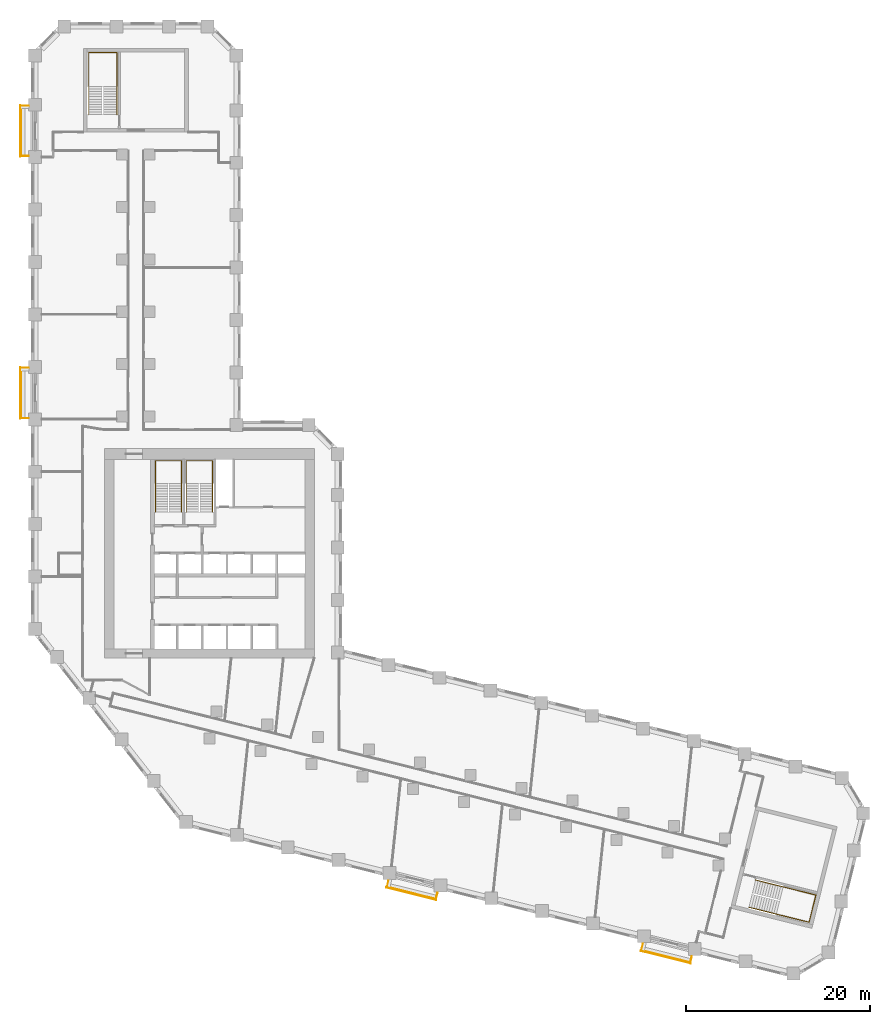
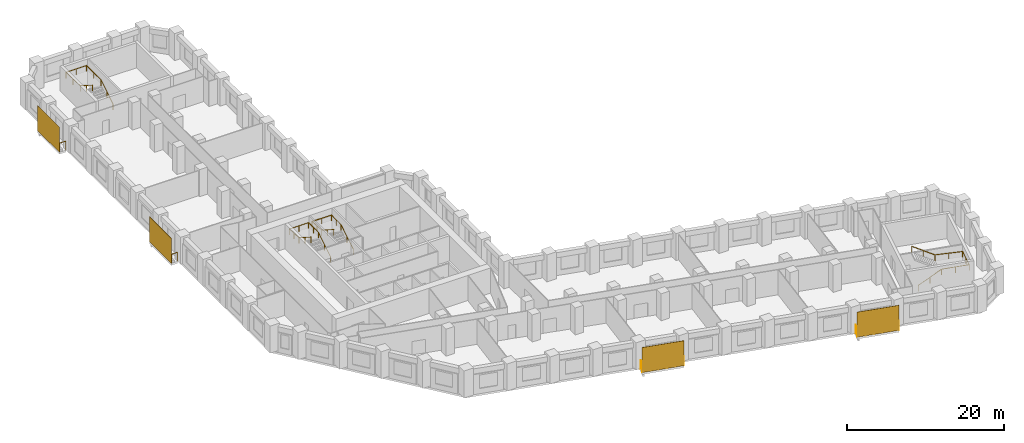
# One storey, part 11 of 11: 8 railings, 4 shading devices.
"""IFC4 building model written with IfcOpenShell, lengths in metres."""

from ifc_helpers import new_model, si_unit, direction, frame, origin, origin_2d, place, context, subcontext, project, spatial, rectangle, circle, extrude, material, layer, layer_set, type_object, element, save


model = new_model("IFC4")

# Units and contexts
model_context = context("Model", 3, precision=1e-05, world=origin(), true_north=direction((0.0, 1.0)))
body_context = subcontext(model_context, "Body", "Model", "MODEL_VIEW")
ifc_project = project(units=[si_unit("LENGTHUNIT", "METRE"), si_unit("AREAUNIT", "SQUARE_METRE"), si_unit("VOLUMEUNIT", "CUBIC_METRE"), si_unit("PLANEANGLEUNIT", "RADIAN"), si_unit("MASSUNIT", "GRAM", prefix="KILO")], contexts=[model_context])

# Site, building, storey
site_placement = place(None, origin())
site = spatial("IfcSite", under=ifc_project, at=site_placement, CompositionType="ELEMENT")
building_placement = place(site_placement, origin())
building = spatial("IfcBuilding", under=site, at=building_placement, Name="Meshkara Civic Tower", CompositionType="ELEMENT")
storey_placement = place(building_placement, frame((0.0, 0.0, 54.0)))
storey = spatial("IfcBuildingStorey", under=building, at=storey_placement, Name="L11", CompositionType="ELEMENT", Elevation=54.0)

# Railings
ifc_material_1 = material(Name="Steel S355", Category="steel")
railing_type_1 = type_object("IfcRailingType", Name="BALUSTRADE GUARD 1400", PredefinedType="BALUSTRADE", material=ifc_material_1)
for number, where, name in (
    (1, (-0.25, 74.135009765625, 0.0), "Balcony guard"),
    (2, (-0.25, 45.635009765625, 0.0), "Balcony guard"),
):
    element("IfcRailing", number, at=place(storey_placement, frame(where)), inside=storey, type_object=railing_type_1, Name=name, PredefinedType="BALUSTRADE", context=body_context, shape_type="SweptSolid", body=[
        extrude(circle(Radius=0.02392578125, at=origin_2d()), frame((0.0, 0.0, 1.3759765625), z_axis=(-1.0, 0.0, 0.0), x_axis=(0.0, -1.0, 0.0)), (0.0, 0.0, 1.0), 0.860107421875),
        extrude(circle(Radius=0.02392578125, at=origin_2d()), frame((-0.860107421875, 0.0, 1.3759765625), z_axis=(0.0, -1.0, 0.0), x_axis=(1.0, 0.0, 0.0)), (0.0, 0.0, 1.0), 5.4599609375),
        extrude(circle(Radius=0.02392578125, at=origin_2d()), frame((-0.860107421875, -5.4599609375, 1.3759765625), z_axis=(1.0, 0.0, 0.0), x_axis=(0.0, 1.0, 0.0)), (0.0, 0.0, 1.0), 0.860107421875),
        extrude(circle(Radius=0.02099609375, at=origin_2d()), origin(), (0.0, 0.0, 1.0), 1.351806640625),
        extrude(circle(Radius=0.02099609375, at=origin_2d()), frame((-0.860107421875, 0.0, 0.0)), (0.0, 0.0, 1.0), 1.351806640625),
        extrude(circle(Radius=0.02099609375, at=origin_2d()), frame((-0.860107421875, -1.092041015625, 0.0)), (0.0, 0.0, 1.0), 1.351806640625),
        extrude(circle(Radius=0.02099609375, at=origin_2d()), frame((-0.860107421875, -2.18408203125, 0.0)), (0.0, 0.0, 1.0), 1.351806640625),
        extrude(circle(Radius=0.02099609375, at=origin_2d()), frame((-0.860107421875, -3.27587890625, 0.0)), (0.0, 0.0, 1.0), 1.351806640625),
        extrude(circle(Radius=0.02099609375, at=origin_2d()), frame((-0.860107421875, -4.367919921875, 0.0)), (0.0, 0.0, 1.0), 1.351806640625),
        extrude(circle(Radius=0.02099609375, at=origin_2d()), frame((-0.860107421875, -5.4599609375, 0.0)), (0.0, 0.0, 1.0), 1.351806640625),
        extrude(circle(Radius=0.02099609375, at=origin_2d()), frame((0.0, -5.4599609375, 0.0)), (0.0, 0.0, 1.0), 1.351806640625),
    ])
railing_1_placement = place(storey_placement, frame((38.885009765625, -10.10595703125, 0.0)))
element("IfcRailing", 3, at=railing_1_placement, inside=storey, type_object=railing_type_1, Name="Balcony guard", PredefinedType="BALUSTRADE", context=body_context, shape_type="SweptSolid", body=[
    extrude(circle(Radius=0.02392578125, at=origin_2d()), frame((0.0, 0.0, 1.3759765625), z_axis=(-0.242050887106, -0.970263555974, 0.0), x_axis=(0.970263555974, -0.242050887106, 0.0)), (0.0, 0.0, 1.0), 0.711181640625),
    extrude(circle(Radius=0.02392578125, at=origin_2d()), frame((-0.172119140625, -0.68994140625, 1.3759765625), z_axis=(0.970292231073, -0.24193591366, 0.0), x_axis=(0.24193591366, 0.970292231073, 0.0)), (0.0, 0.0, 1.0), 5.460205078125),
    extrude(circle(Radius=0.02392578125, at=origin_2d()), frame((5.1259765625, -2.010986328125, 1.3759765625), z_axis=(0.242050887106, 0.970263555974, 0.0), x_axis=(-0.970263555974, 0.242050887106, 0.0)), (0.0, 0.0, 1.0), 0.711181640625),
    extrude(circle(Radius=0.02099609375, at=origin_2d()), origin(), (0.0, 0.0, 1.0), 1.351806640625),
    extrude(circle(Radius=0.02099609375, at=origin_2d()), frame((-0.172119140625, -0.68994140625, 0.0)), (0.0, 0.0, 1.0), 1.351806640625),
    extrude(circle(Radius=0.02099609375, at=origin_2d()), frame((0.887451171875, -0.9541015625, 0.0)), (0.0, 0.0, 1.0), 1.351806640625),
    extrude(circle(Radius=0.02099609375, at=origin_2d()), frame((1.947021484375, -1.21826171875, 0.0)), (0.0, 0.0, 1.0), 1.351806640625),
    extrude(circle(Radius=0.02099609375, at=origin_2d()), frame((3.0068359375, -1.482666015625, 0.0)), (0.0, 0.0, 1.0), 1.351806640625),
    extrude(circle(Radius=0.02099609375, at=origin_2d()), frame((4.06640625, -1.746826171875, 0.0)), (0.0, 0.0, 1.0), 1.351806640625),
    extrude(circle(Radius=0.02099609375, at=origin_2d()), frame((5.1259765625, -2.010986328125, 0.0)), (0.0, 0.0, 1.0), 1.351806640625),
    extrude(circle(Radius=0.02099609375, at=origin_2d()), frame((5.298095703125, -1.321044921875, 0.0)), (0.0, 0.0, 1.0), 1.351806640625),
])
railing_2_placement = place(storey_placement, frame((66.5380859375, -17.0, 0.0)))
element("IfcRailing", 4, at=railing_2_placement, inside=storey, type_object=railing_type_1, Name="Balcony guard", PredefinedType="BALUSTRADE", context=body_context, shape_type="SweptSolid", body=[
    extrude(circle(Radius=0.02392578125, at=origin_2d()), frame((0.0, 0.0, 1.3759765625), z_axis=(-0.241728770141, -0.970343857447, 0.0), x_axis=(0.970343857447, -0.241728770141, 0.0)), (0.0, 0.0, 1.0), 0.7119140625),
    extrude(circle(Radius=0.02392578125, at=origin_2d()), frame((-0.172119140625, -0.69091796875, 1.3759765625), z_axis=(0.970292231073, -0.24193591366, 0.0), x_axis=(0.24193591366, 0.970292231073, 0.0)), (0.0, 0.0, 1.0), 5.460205078125),
    extrude(circle(Radius=0.02392578125, at=origin_2d()), frame((5.1259765625, -2.011962890625, 1.3759765625), z_axis=(0.241405887632, 0.970424235794, 0.0), x_axis=(-0.970424235794, 0.241405887632, 0.0)), (0.0, 0.0, 1.0), 0.7119140625),
    extrude(circle(Radius=0.02099609375, at=origin_2d()), origin(), (0.0, 0.0, 1.0), 1.351806640625),
    extrude(circle(Radius=0.02099609375, at=origin_2d()), frame((-0.172119140625, -0.69091796875, 0.0)), (0.0, 0.0, 1.0), 1.351806640625),
    extrude(circle(Radius=0.02099609375, at=origin_2d()), frame((0.887451171875, -0.955078125, 0.0)), (0.0, 0.0, 1.0), 1.351806640625),
    extrude(circle(Radius=0.02099609375, at=origin_2d()), frame((1.947021484375, -1.21923828125, 0.0)), (0.0, 0.0, 1.0), 1.351806640625),
    extrude(circle(Radius=0.02099609375, at=origin_2d()), frame((3.0068359375, -1.483642578125, 0.0)), (0.0, 0.0, 1.0), 1.351806640625),
    extrude(circle(Radius=0.02099609375, at=origin_2d()), frame((4.06640625, -1.747802734375, 0.0)), (0.0, 0.0, 1.0), 1.351806640625),
    extrude(circle(Radius=0.02099609375, at=origin_2d()), frame((5.1259765625, -2.011962890625, 0.0)), (0.0, 0.0, 1.0), 1.351806640625),
    extrude(circle(Radius=0.02099609375, at=origin_2d()), frame((5.2978515625, -1.321044921875, 0.0)), (0.0, 0.0, 1.0), 1.351806640625),
])

# Shading devices
ifc_material_2 = material(Name="Perforated bronze anodised aluminium sheet", Category="aluminium")
ifc_layer = layer(ifc_material_2, 0.0400390625)
ifc_layer_set = layer_set([ifc_layer], Name="PERFORATED BRONZE SCREEN")
shading_device_type = type_object("IfcShadingDeviceType", Name="PERFORATED BRONZE SCREEN", PredefinedType="USERDEFINED", material=ifc_layer_set)
for number, where, z_axis, x_axis, name in (
    (5, (-1.179931640625, 71.405029296875, 0.0), (0.0, 0.0, 1.0), (0.0, -1.0, 0.0), "Balcony screen"),
    (6, (-1.179931640625, 42.905029296875, 0.0), (0.0, 0.0, 1.0), (0.0, -1.0, 0.0), "Balcony screen"),
    (7, (41.344970703125, -11.52490234375, 0.0), (0.0, 0.0, 1.0), (0.970295726276, -0.2419218956, 0.0), "Balcony screen"),
    (8, (68.998046875, -18.4189453125, 0.0), (0.0, 0.0, 1.0), (0.970295726276, -0.2419218956, 0.0), "Balcony screen"),
):
    element("IfcShadingDevice", number, at=place(storey_placement, frame(where, z_axis=z_axis, x_axis=x_axis)), inside=storey, type_object=shading_device_type, Name=name, ObjectType="SCREEN", PredefinedType="USERDEFINED", context=body_context, shape_type="SweptSolid", body=[
        extrude(rectangle(XDim=5.580078125, YDim=0.0400390625, at=origin_2d()), origin(), (0.0, 0.0, 1.0), 3.89990234375),
    ])

# Railings
ifc_material_3 = material(Name="Steel handrail", Category="steel")
railing_type_2 = type_object("IfcRailingType", Name="Stair handrail 900", PredefinedType="HANDRAIL", material=ifc_material_3)
railing_3_placement = place(storey_placement, frame((16.375, 30.0, 0.175048828125)))
element("IfcRailing", 9, at=railing_3_placement, inside=storey, type_object=railing_type_2, Name="L11 ST1 stair handrail 1", PredefinedType="HANDRAIL", context=body_context, shape_type="SweptSolid", body=[
    extrude(circle(Radius=0.02392578125, at=origin_2d()), frame((0.0, 0.0, 0.8759765625), z_axis=(0.0, 0.847998304005, 0.529998940003), x_axis=(-1.0, 0.0, 0.0)), (0.0, 0.0, 1.0), 3.632080078125),
    extrude(circle(Radius=0.02392578125, at=origin_2d()), frame((0.0, 3.080078125, 2.80078125), z_axis=(0.0, 1.0, 0.0), x_axis=(-1.0, 0.0, 0.0)), (0.0, 0.0, 1.0), 2.469970703125),
    extrude(circle(Radius=0.02392578125, at=origin_2d()), frame((0.0, 5.550048828125, 2.80078125), z_axis=(-1.0, 0.0, 0.0), x_axis=(0.0, -1.0, 0.0)), (0.0, 0.0, 1.0), 2.85009765625),
    extrude(circle(Radius=0.02392578125, at=origin_2d()), frame((-2.85009765625, 5.550048828125, 2.80078125), z_axis=(0.0, -0.997505032726, 0.070595394231), x_axis=(1.0, 0.0, 0.0)), (0.0, 0.0, 1.0), 2.47607421875),
    extrude(circle(Radius=0.02392578125, at=origin_2d()), frame((-2.85009765625, 3.080078125, 2.9755859375), z_axis=(0.0, -0.847998304005, 0.529998940003), x_axis=(1.0, 0.0, 0.0)), (0.0, 0.0, 1.0), 3.632080078125),
    extrude(circle(Radius=0.02099609375, at=origin_2d()), origin(), (0.0, 0.0, 1.0), 0.851806640625),
    extrude(circle(Radius=0.02099609375, at=origin_2d()), frame((0.0, 1.5400390625, 0.96240234375)), (0.0, 0.0, 1.0), 0.851806640625),
    extrude(circle(Radius=0.02099609375, at=origin_2d()), frame((0.0, 3.080078125, 1.925048828125)), (0.0, 0.0, 1.0), 0.851806640625),
    extrude(circle(Radius=0.02099609375, at=origin_2d()), frame((0.0, 4.31494140625, 1.925048828125)), (0.0, 0.0, 1.0), 0.851806640625),
    extrude(circle(Radius=0.02099609375, at=origin_2d()), frame((0.0, 5.550048828125, 1.925048828125)), (0.0, 0.0, 1.0), 0.851806640625),
    extrude(circle(Radius=0.02099609375, at=origin_2d()), frame((-1.425048828125, 5.550048828125, 1.925048828125)), (0.0, 0.0, 1.0), 0.851806640625),
    extrude(circle(Radius=0.02099609375, at=origin_2d()), frame((-2.85009765625, 5.550048828125, 1.925048828125)), (0.0, 0.0, 1.0), 0.851806640625),
    extrude(circle(Radius=0.02099609375, at=origin_2d()), frame((-2.85009765625, 4.31494140625, 2.012451171875)), (0.0, 0.0, 1.0), 0.851806640625),
    extrude(circle(Radius=0.02099609375, at=origin_2d()), frame((-2.85009765625, 3.080078125, 2.099853515625)), (0.0, 0.0, 1.0), 0.851806640625),
    extrude(circle(Radius=0.02099609375, at=origin_2d()), frame((-2.85009765625, 1.5400390625, 3.0625)), (0.0, 0.0, 1.0), 0.851806640625),
    extrude(circle(Radius=0.02099609375, at=origin_2d()), frame((-2.85009765625, 0.0, 4.02490234375)), (0.0, 0.0, 1.0), 0.851806640625),
])
railing_4_placement = place(storey_placement, frame((19.72509765625, 30.0, 0.175048828125)))
element("IfcRailing", 10, at=railing_4_placement, inside=storey, type_object=railing_type_2, Name="L11 ST2 stair handrail 1", PredefinedType="HANDRAIL", context=body_context, shape_type="SweptSolid", body=[
    extrude(circle(Radius=0.02392578125, at=origin_2d()), frame((0.0, 0.0, 0.8759765625), z_axis=(0.0, 0.847998304005, 0.529998940003), x_axis=(-1.0, 0.0, 0.0)), (0.0, 0.0, 1.0), 3.632080078125),
    extrude(circle(Radius=0.02392578125, at=origin_2d()), frame((0.0, 3.080078125, 2.80078125), z_axis=(0.0, 1.0, 0.0), x_axis=(-1.0, 0.0, 0.0)), (0.0, 0.0, 1.0), 2.469970703125),
    extrude(circle(Radius=0.02392578125, at=origin_2d()), frame((0.0, 5.550048828125, 2.80078125), z_axis=(-1.0, 0.0, 0.0), x_axis=(0.0, -1.0, 0.0)), (0.0, 0.0, 1.0), 2.85009765625),
    extrude(circle(Radius=0.02392578125, at=origin_2d()), frame((-2.85009765625, 5.550048828125, 2.80078125), z_axis=(0.0, -0.997505032726, 0.070595394231), x_axis=(1.0, 0.0, 0.0)), (0.0, 0.0, 1.0), 2.47607421875),
    extrude(circle(Radius=0.02392578125, at=origin_2d()), frame((-2.85009765625, 3.080078125, 2.9755859375), z_axis=(0.0, -0.847998304005, 0.529998940003), x_axis=(1.0, 0.0, 0.0)), (0.0, 0.0, 1.0), 3.632080078125),
    extrude(circle(Radius=0.02099609375, at=origin_2d()), origin(), (0.0, 0.0, 1.0), 0.851806640625),
    extrude(circle(Radius=0.02099609375, at=origin_2d()), frame((0.0, 1.5400390625, 0.96240234375)), (0.0, 0.0, 1.0), 0.851806640625),
    extrude(circle(Radius=0.02099609375, at=origin_2d()), frame((0.0, 3.080078125, 1.925048828125)), (0.0, 0.0, 1.0), 0.851806640625),
    extrude(circle(Radius=0.02099609375, at=origin_2d()), frame((0.0, 4.31494140625, 1.925048828125)), (0.0, 0.0, 1.0), 0.851806640625),
    extrude(circle(Radius=0.02099609375, at=origin_2d()), frame((0.0, 5.550048828125, 1.925048828125)), (0.0, 0.0, 1.0), 0.851806640625),
    extrude(circle(Radius=0.02099609375, at=origin_2d()), frame((-1.425048828125, 5.550048828125, 1.925048828125)), (0.0, 0.0, 1.0), 0.851806640625),
    extrude(circle(Radius=0.02099609375, at=origin_2d()), frame((-2.85009765625, 5.550048828125, 1.925048828125)), (0.0, 0.0, 1.0), 0.851806640625),
    extrude(circle(Radius=0.02099609375, at=origin_2d()), frame((-2.85009765625, 4.31494140625, 2.012451171875)), (0.0, 0.0, 1.0), 0.851806640625),
    extrude(circle(Radius=0.02099609375, at=origin_2d()), frame((-2.85009765625, 3.080078125, 2.099853515625)), (0.0, 0.0, 1.0), 0.851806640625),
    extrude(circle(Radius=0.02099609375, at=origin_2d()), frame((-2.85009765625, 1.5400390625, 3.0625)), (0.0, 0.0, 1.0), 0.851806640625),
    extrude(circle(Radius=0.02099609375, at=origin_2d()), frame((-2.85009765625, 0.0, 4.02490234375)), (0.0, 0.0, 1.0), 0.851806640625),
])
railing_5_placement = place(storey_placement, frame((9.324951171875, 73.169921875, 0.175048828125)))
element("IfcRailing", 11, at=railing_5_placement, inside=storey, type_object=railing_type_2, Name="L11 ESA1 stair handrail 1", PredefinedType="HANDRAIL", context=body_context, shape_type="SweptSolid", body=[
    extrude(circle(Radius=0.02392578125, at=origin_2d()), frame((0.0, 0.0, 0.8759765625), z_axis=(0.0, 0.847998304005, 0.529998940003), x_axis=(-1.0, 0.0, 0.0)), (0.0, 0.0, 1.0), 3.632080078125),
    extrude(circle(Radius=0.02392578125, at=origin_2d()), frame((0.0, 3.080078125, 2.80078125), z_axis=(0.0, 1.0, 0.0), x_axis=(-1.0, 0.0, 0.0)), (0.0, 0.0, 1.0), 3.669921875),
    extrude(circle(Radius=0.02392578125, at=origin_2d()), frame((0.0, 6.75, 2.80078125), z_axis=(-1.0, 0.0, 0.0), x_axis=(0.0, -1.0, 0.0)), (0.0, 0.0, 1.0), 3.050048828125),
    extrude(circle(Radius=0.02392578125, at=origin_2d()), frame((-3.050048828125, 6.75, 2.80078125), z_axis=(0.0, -0.998867536292, 0.047577777806), x_axis=(1.0, 0.0, 0.0)), (0.0, 0.0, 1.0), 3.674072265625),
    extrude(circle(Radius=0.02392578125, at=origin_2d()), frame((-3.050048828125, 3.080078125, 2.9755859375), z_axis=(0.0, -0.847998304005, 0.529998940003), x_axis=(1.0, 0.0, 0.0)), (0.0, 0.0, 1.0), 3.632080078125),
    extrude(circle(Radius=0.02099609375, at=origin_2d()), origin(), (0.0, 0.0, 1.0), 0.851806640625),
    extrude(circle(Radius=0.02099609375, at=origin_2d()), frame((0.0, 1.5400390625, 0.96240234375)), (0.0, 0.0, 1.0), 0.851806640625),
    extrude(circle(Radius=0.02099609375, at=origin_2d()), frame((0.0, 3.080078125, 1.925048828125)), (0.0, 0.0, 1.0), 0.851806640625),
    extrude(circle(Radius=0.02099609375, at=origin_2d()), frame((0.0, 4.9150390625, 1.925048828125)), (0.0, 0.0, 1.0), 0.851806640625),
    extrude(circle(Radius=0.02099609375, at=origin_2d()), frame((0.0, 6.75, 1.925048828125)), (0.0, 0.0, 1.0), 0.851806640625),
    extrude(circle(Radius=0.02099609375, at=origin_2d()), frame((-1.52490234375, 6.75, 1.925048828125)), (0.0, 0.0, 1.0), 0.851806640625),
    extrude(circle(Radius=0.02099609375, at=origin_2d()), frame((-3.050048828125, 6.75, 1.925048828125)), (0.0, 0.0, 1.0), 0.851806640625),
    extrude(circle(Radius=0.02099609375, at=origin_2d()), frame((-3.050048828125, 4.9150390625, 2.012451171875)), (0.0, 0.0, 1.0), 0.851806640625),
    extrude(circle(Radius=0.02099609375, at=origin_2d()), frame((-3.050048828125, 3.080078125, 2.099853515625)), (0.0, 0.0, 1.0), 0.851806640625),
    extrude(circle(Radius=0.02099609375, at=origin_2d()), frame((-3.050048828125, 1.5400390625, 3.0625)), (0.0, 0.0, 1.0), 0.851806640625),
    extrude(circle(Radius=0.02099609375, at=origin_2d()), frame((-3.050048828125, 0.0, 4.02490234375)), (0.0, 0.0, 1.0), 0.851806640625),
])
railing_6_placement = place(storey_placement, frame((78.045166015625, -12.99169921875, 0.175048828125)))
element("IfcRailing", 12, at=railing_6_placement, inside=storey, type_object=railing_type_2, Name="L11 ESB1 stair handrail 1", PredefinedType="HANDRAIL", context=body_context, shape_type="SweptSolid", body=[
    extrude(circle(Radius=0.02392578125, at=origin_2d()), frame((0.0, 0.0, 0.8759765625), z_axis=(0.822781968105, -0.205275396666, 0.529992306062), x_axis=(0.242069343812, 0.970258951408, 0.0)), (0.0, 0.0, 1.0), 3.63232421875),
    extrude(circle(Radius=0.02392578125, at=origin_2d()), frame((2.988525390625, -0.74560546875, 2.80078125), z_axis=(0.970255876456, -0.242081668456, 0.0), x_axis=(0.242081668456, 0.970255876456, 0.0)), (0.0, 0.0, 1.0), 3.669921875),
    extrude(circle(Radius=0.02392578125, at=origin_2d()), frame((6.54931640625, -1.634033203125, 2.80078125), z_axis=(0.242064726708, 0.970260103315, 0.0), x_axis=(-0.970260103315, 0.242064726708, 0.0)), (0.0, 0.0, 1.0), 3.050048828125),
    extrude(circle(Radius=0.02392578125, at=origin_2d()), frame((7.28759765625, 1.3251953125, 2.80078125), z_axis=(-0.969157113986, 0.241807524018, 0.047577407858), x_axis=(-0.242081668456, -0.970255876456, 0.0)), (0.0, 0.0, 1.0), 3.674072265625),
    extrude(circle(Radius=0.02392578125, at=origin_2d()), frame((3.726806640625, 2.213623046875, 2.9755859375), z_axis=(-0.822781968105, 0.205275396666, 0.529992306062), x_axis=(-0.242069343812, -0.970258951408, 0.0)), (0.0, 0.0, 1.0), 3.63232421875),
    extrude(circle(Radius=0.02099609375, at=origin_2d()), origin(), (0.0, 0.0, 1.0), 0.851806640625),
    extrude(circle(Radius=0.02099609375, at=origin_2d()), frame((1.494140625, -0.372802734375, 0.96240234375)), (0.0, 0.0, 1.0), 0.851806640625),
    extrude(circle(Radius=0.02099609375, at=origin_2d()), frame((2.988525390625, -0.74560546875, 1.925048828125)), (0.0, 0.0, 1.0), 0.851806640625),
    extrude(circle(Radius=0.02099609375, at=origin_2d()), frame((4.76904296875, -1.18994140625, 1.925048828125)), (0.0, 0.0, 1.0), 0.851806640625),
    extrude(circle(Radius=0.02099609375, at=origin_2d()), frame((6.54931640625, -1.634033203125, 1.925048828125)), (0.0, 0.0, 1.0), 0.851806640625),
    extrude(circle(Radius=0.02099609375, at=origin_2d()), frame((6.91845703125, -0.154296875, 1.925048828125)), (0.0, 0.0, 1.0), 0.851806640625),
    extrude(circle(Radius=0.02099609375, at=origin_2d()), frame((7.28759765625, 1.3251953125, 1.925048828125)), (0.0, 0.0, 1.0), 0.851806640625),
    extrude(circle(Radius=0.02099609375, at=origin_2d()), frame((5.50732421875, 1.76953125, 2.012451171875)), (0.0, 0.0, 1.0), 0.851806640625),
    extrude(circle(Radius=0.02099609375, at=origin_2d()), frame((3.726806640625, 2.213623046875, 2.099853515625)), (0.0, 0.0, 1.0), 0.851806640625),
    extrude(circle(Radius=0.02099609375, at=origin_2d()), frame((2.232421875, 2.58642578125, 3.0625)), (0.0, 0.0, 1.0), 0.851806640625),
    extrude(circle(Radius=0.02099609375, at=origin_2d()), frame((0.73828125, 2.959228515625, 4.02490234375)), (0.0, 0.0, 1.0), 0.851806640625),
])

save(model, "model.ifc")
